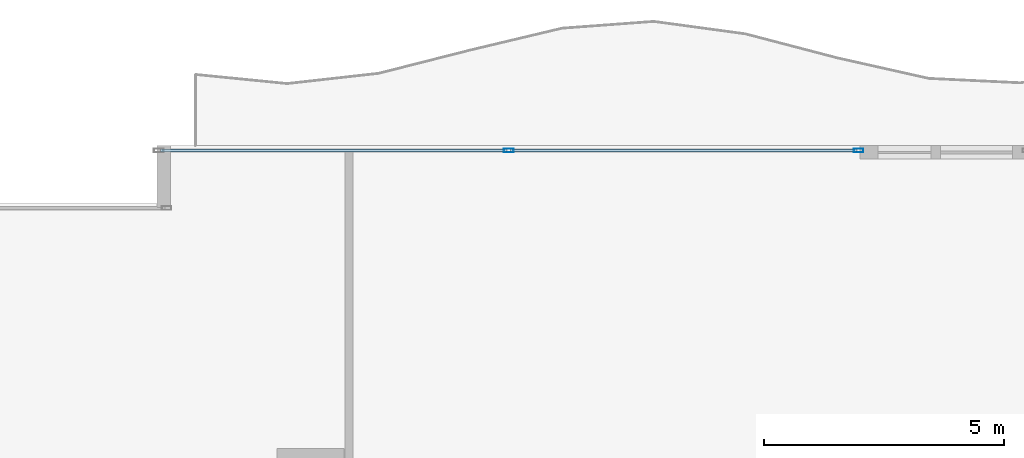
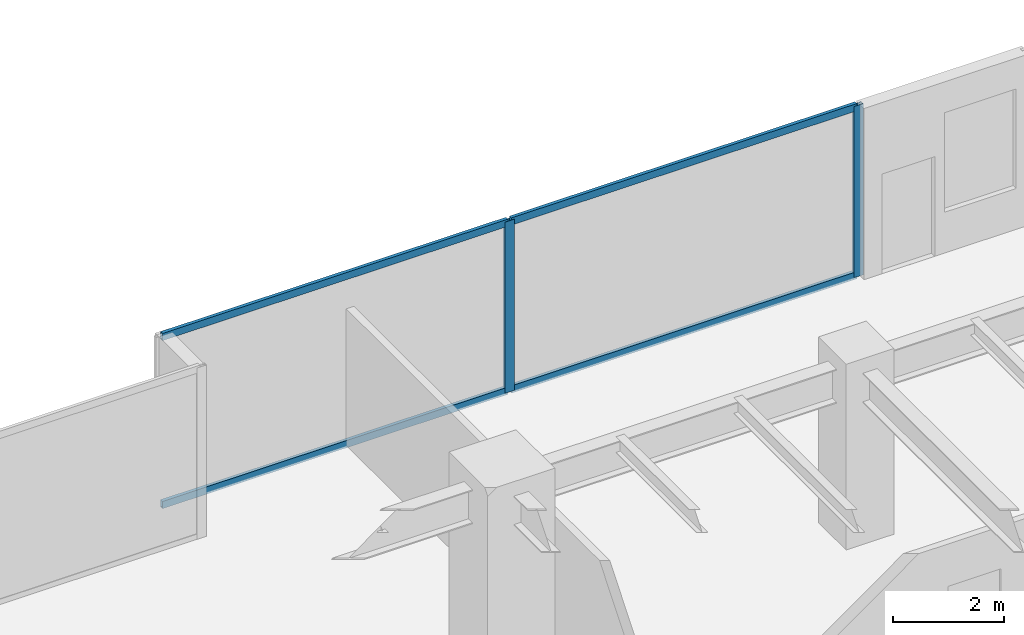
# One storey, part 19 of 31: 6 members, 1 element without a shape of its own.
"""IFC4 building model written with IfcOpenShell, lengths in metres."""

from ifc_helpers import new_model, si_unit, direction, frame, origin, origin_2d, place, context, subcontext, project, spatial, hollow_rectangle, extrude, source, transform, mapped, material, layer, layer_set, material_profile, profile_set, type_object, type_shapes, element, aggregate, save


model = new_model("IFC4")

# Units and contexts
model_context = context("Model", 3, precision=1e-05, world=origin(), true_north=direction((0.0, 1.0)))
body_context = subcontext(model_context, "Body", "Model", "MODEL_VIEW")
ifc_project = project(units=[si_unit("LENGTHUNIT", "METRE"), si_unit("AREAUNIT", "SQUARE_METRE"), si_unit("VOLUMEUNIT", "CUBIC_METRE"), si_unit("PLANEANGLEUNIT", "RADIAN"), si_unit("MASSUNIT", "GRAM", prefix="KILO")], contexts=[model_context])

# Site, building, storey
site_placement = place(None, origin())
site = spatial("IfcSite", under=ifc_project, at=site_placement, CompositionType="ELEMENT")
building_placement = place(site_placement, origin())
building = spatial("IfcBuilding", under=site, at=building_placement, Name="Haelvirn Gate Laboratories", CompositionType="ELEMENT")
storey_placement = place(building_placement, frame((0.0, 0.0, 62.10009765625)))
storey = spatial("IfcBuildingStorey", under=building, at=storey_placement, Name="L15", CompositionType="ELEMENT", Elevation=62.10009765625)

# Curtain wall, members
ifc_material_1 = material(Name="Anodised bronze unitised aluminium & triple low-E glass", Category="aluminium")
ifc_layer = layer(ifc_material_1, 0.18408203125, Name="CW-SYS-2")
ifc_layer_set = layer_set([ifc_layer], Name="Anodised bronze unitised aluminium & triple low-E glass")
curtain_wall_type = type_object("IfcCurtainWallType", Name="CW-SYS-2", PredefinedType="NOTDEFINED", material=ifc_layer_set)
curtain_wall_placement = place(storey_placement, origin())
curtain_wall = element("IfcCurtainWall", 1, at=curtain_wall_placement, inside=storey, type_object=curtain_wall_type, Name="L15 Unitised Curtain Wall CW-L15-P0-E10-1", PredefinedType="NOTDEFINED")
ifc_material_2 = material(Name="Extruded aluminium 6063-T6 (anodised bronze)", Category="aluminium")
ifc_material_profile_1 = material_profile(ifc_material_2, hollow_rectangle(XDim=0.070068359375, YDim=0.159912109375, WallThickness=0.0048828125, at=origin_2d()), Name="CWT-160x70x5")
ifc_profile_set_1 = profile_set([ifc_material_profile_1], Name="Extruded aluminium 6063-T6 (anodised bronze)")
member_type_1 = type_object("IfcMemberType", Name="CWT-T160", PredefinedType="USERDEFINED", material=ifc_profile_set_1)
shared_shape_1 = source(origin(), body_context, "Body", "SweptSolid", [
    extrude(hollow_rectangle(XDim=0.070068359375, YDim=0.159912109375, WallThickness=0.0048828125, at=origin_2d()), origin(), (0.0, 0.0, 1.0), 7.212646484375),
])
member_1_placement = place(storey_placement, frame((56.762451171875, 48.5, 0.034912109375), z_axis=(1.0, 0.0, 0.0), x_axis=(0.0, 1.0, 0.0)))
member_1 = element("IfcMember", 2, at=member_1_placement, type_object=member_type_1, Name="CW2 transom 2.1", ObjectType="TRANSOM", PredefinedType="USERDEFINED", context=body_context, shape_type="MappedRepresentation", body=[
    mapped(shared_shape_1, transform((0.0, 0.0, 0.0), scale=1.0)),
])
member_2_placement = place(storey_placement, frame((56.762451171875, 48.5, 3.744873046875), z_axis=(1.0, 0.0, 0.0), x_axis=(0.0, 1.0, 0.0)))
member_2 = element("IfcMember", 3, at=member_2_placement, type_object=member_type_1, Name="CW2 transom 2.2", ObjectType="TRANSOM", PredefinedType="USERDEFINED", context=body_context, shape_type="MappedRepresentation", body=[
    mapped(shared_shape_1, transform((0.0, 0.0, 0.0), scale=1.0)),
])
shared_shape_2 = source(origin(), body_context, "Body", "SweptSolid", [
    extrude(hollow_rectangle(XDim=0.070068359375, YDim=0.159912109375, WallThickness=0.0048828125, at=origin_2d()), origin(), (0.0, 0.0, 1.0), 7.21240234375),
])
type_shapes(member_type_1, [shared_shape_1, shared_shape_2])
member_3_placement = place(storey_placement, frame((49.47509765625, 48.5, 0.034912109375), z_axis=(1.0, 0.0, 0.0), x_axis=(0.0, 1.0, 0.0)))
member_3 = element("IfcMember", 4, at=member_3_placement, type_object=member_type_1, Name="CW2 transom 1.1", ObjectType="TRANSOM", PredefinedType="USERDEFINED", context=body_context, shape_type="MappedRepresentation", body=[
    mapped(shared_shape_2, transform((0.0, 0.0, 0.0), scale=1.0)),
])
member_4_placement = place(storey_placement, frame((49.47509765625, 48.5, 3.744873046875), z_axis=(1.0, 0.0, 0.0), x_axis=(0.0, 1.0, 0.0)))
member_4 = element("IfcMember", 5, at=member_4_placement, type_object=member_type_1, Name="CW2 transom 1.2", ObjectType="TRANSOM", PredefinedType="USERDEFINED", context=body_context, shape_type="MappedRepresentation", body=[
    mapped(shared_shape_2, transform((0.0, 0.0, 0.0), scale=1.0)),
])
ifc_material_profile_2 = material_profile(ifc_material_2, hollow_rectangle(XDim=0.074951171875, YDim=0.199951171875, WallThickness=0.0048828125, at=origin_2d()), Name="CWM-200x75x5")
ifc_profile_set_2 = profile_set([ifc_material_profile_2], Name="Extruded aluminium 6063-T6 (anodised bronze)")
member_type_2 = type_object("IfcMemberType", Name="CWM-T200", PredefinedType="MULLION", material=ifc_profile_set_2)
shared_shape_3 = source(origin(), body_context, "Body", "SweptSolid", [
    extrude(hollow_rectangle(XDim=0.074951171875, YDim=0.199951171875, WallThickness=0.0048828125, at=origin_2d()), origin(), (0.0, 0.0, 1.0), 3.77978515625),
])
type_shapes(member_type_2, [shared_shape_3])
member_5_placement = place(storey_placement, frame((56.72509765625, 48.5, 0.0), z_axis=(0.0, 0.0, 1.0), x_axis=(0.0, 1.0, 0.0)))
member_5 = element("IfcMember", 6, at=member_5_placement, type_object=member_type_2, Name="CW2 mullion 2", PredefinedType="MULLION", context=body_context, shape_type="MappedRepresentation", body=[
    mapped(shared_shape_3, transform((0.0, 0.0, 0.0), scale=1.0)),
])
member_6_placement = place(storey_placement, frame((64.012451171875, 48.5, 0.0), z_axis=(0.0, 0.0, 1.0), x_axis=(0.0, 1.0, 0.0)))
member_6 = element("IfcMember", 7, at=member_6_placement, type_object=member_type_2, Name="CW2 mullion 3", PredefinedType="MULLION", context=body_context, shape_type="MappedRepresentation", body=[
    mapped(shared_shape_3, transform((0.0, 0.0, 0.0), scale=1.0)),
])
aggregate(curtain_wall, [member_5, member_6, member_3, member_4, member_1, member_2])

save(model, "model.ifc")
